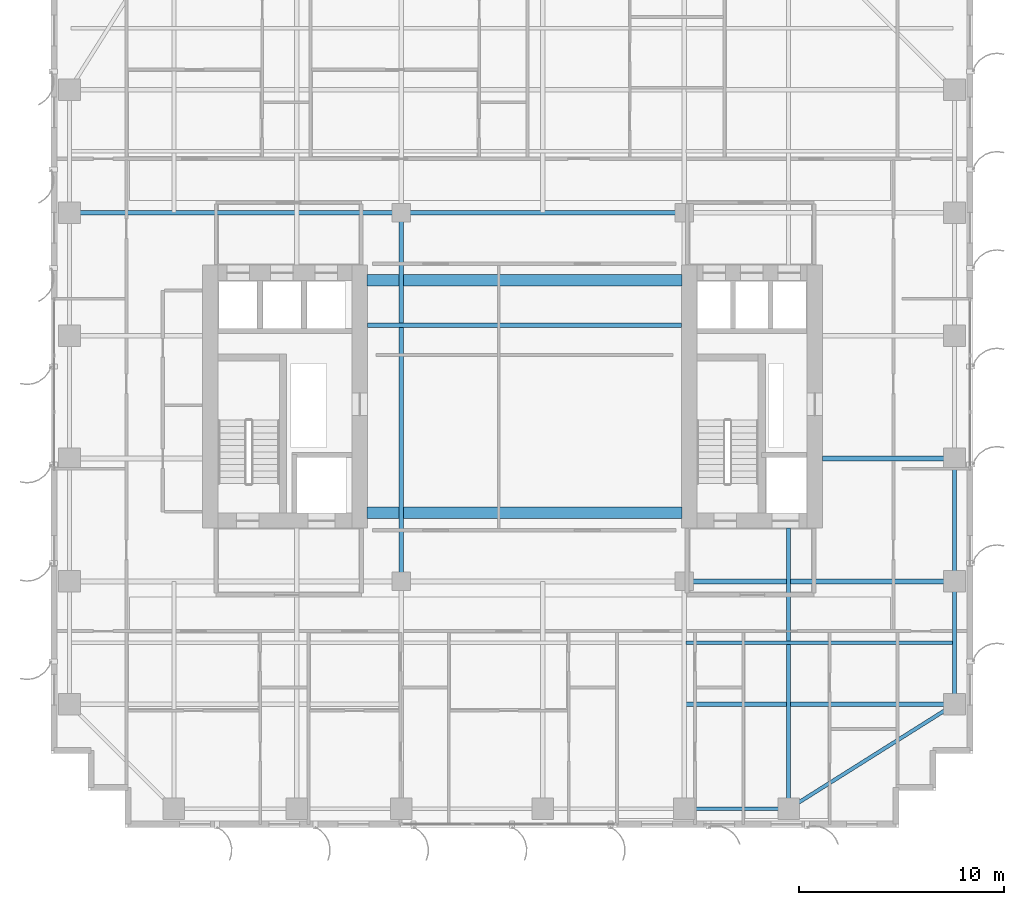
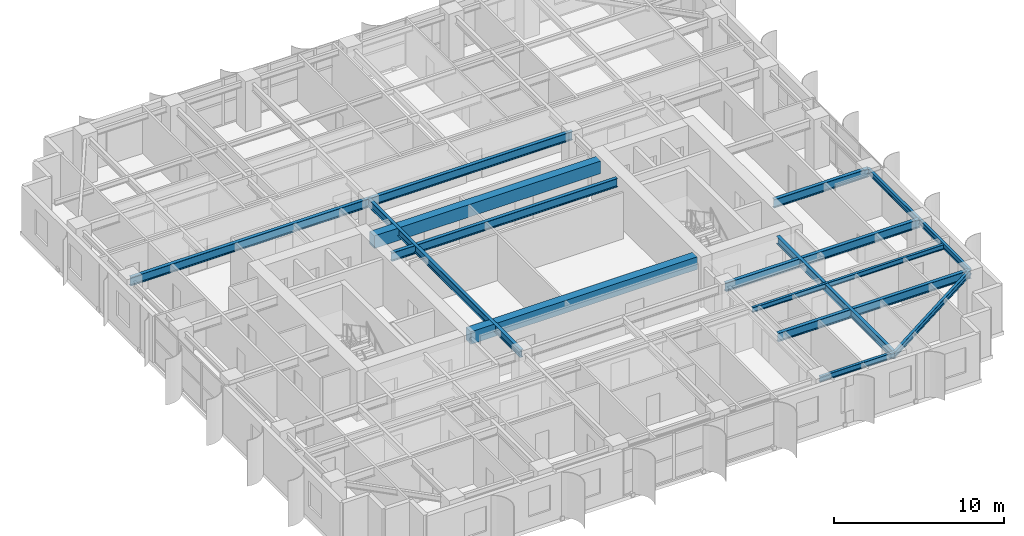
# One storey, part 5 of 22: 15 beams.
"""IFC4 building model written with IfcOpenShell, lengths in metres."""

from ifc_helpers import new_model, si_unit, direction, frame, origin, origin_2d, place, context, subcontext, project, spatial, rectangle, i_section, extrude, source, transform, mapped, material, material_profile, profile_set, type_object, element, save


model = new_model("IFC4")

# Units and contexts
model_context = context("Model", 3, precision=1e-05, world=origin(), true_north=direction((0.0, 1.0)))
body_context = subcontext(model_context, "Body", "Model", "MODEL_VIEW")
ifc_project = project(units=[si_unit("LENGTHUNIT", "METRE"), si_unit("AREAUNIT", "SQUARE_METRE"), si_unit("VOLUMEUNIT", "CUBIC_METRE"), si_unit("PLANEANGLEUNIT", "RADIAN"), si_unit("MASSUNIT", "GRAM", prefix="KILO")], contexts=[model_context])

# Site, building, storey
site_placement = place(None, origin())
site = spatial("IfcSite", under=ifc_project, at=site_placement, CompositionType="ELEMENT")
building_placement = place(site_placement, origin())
building = spatial("IfcBuilding", under=site, at=building_placement, Name="Khoralis Quay Care Tower", CompositionType="ELEMENT")
storey_placement = place(building_placement, frame((0.0, 0.0, 101.699951171875)))
storey = spatial("IfcBuildingStorey", under=building, at=storey_placement, Name="L26", CompositionType="ELEMENT", Elevation=101.699951171875)

# Beams
ifc_material_1 = material(Name="Concrete C65/80", Category="concrete")
ifc_material_profile_1 = material_profile(ifc_material_1, rectangle(XDim=0.550048828125, YDim=0.89990234375, at=origin_2d()), Name="Concrete C65/80")
ifc_profile_set_1 = profile_set([ifc_material_profile_1], Name="Concrete C65/80")
beam_type_1 = type_object("IfcBeamType", Name="CB-RC550X900", PredefinedType="LINTEL", material=ifc_profile_set_1)
shared_shape_1 = source(origin(), body_context, "Body", "SweptSolid", [
    extrude(rectangle(XDim=0.550048828125, YDim=0.89990234375, at=origin_2d()), origin(), (0.0, 0.0, 1.0), 15.380126953125),
])
for number, where, z_axis, x_axis, name in (
    (1, (15.419921875, 15.35009765625, 2.89013671875), (1.0, 0.0, 0.0), (0.0, 1.0, 0.0), "L26 South Core Coupling Lintel"),
    (2, (15.419921875, 26.699951171875, 2.89013671875), (1.0, 0.0, 0.0), (0.0, 1.0, 0.0), "L26 North Core Coupling Lintel"),
):
    element("IfcBeam", number, at=place(storey_placement, frame(where, z_axis=z_axis, x_axis=x_axis)), inside=storey, type_object=beam_type_1, Name=name, PredefinedType="LINTEL", context=body_context, shape_type="MappedRepresentation", body=[
        mapped(shared_shape_1, transform((0.0, 0.0, 0.0), scale=1.0)),
    ])
ifc_material_2 = material(Name="Steel S355", Category="steel")
ifc_material_profile_2 = material_profile(ifc_material_2, i_section(OverallWidth=0.179931640625, OverallDepth=0.39990234375, WebThickness=0.008544921875, FlangeThickness=0.013427734375, FilletRadius=0.02099609375, at=origin_2d()), Name="Steel S355")
ifc_profile_set_2 = profile_set([ifc_material_profile_2], Name="Steel S355")
beam_type_2 = type_object("IfcBeamType", Name="BM-IPE400", PredefinedType="SPANDREL", material=ifc_profile_set_2)
shared_shape_2 = source(origin(), body_context, "Body", "SweptSolid", [
    extrude(i_section(OverallWidth=0.179931640625, OverallDepth=0.39990234375, WebThickness=0.008544921875, FlangeThickness=0.013427734375, FilletRadius=0.02099609375, at=origin_2d()), origin(), (0.0, 0.0, 1.0), 6.0),
])
for number, where, z_axis, x_axis, name in (
    (3, (44.10009765625, 6.0, 3.14013671875), (0.0, 1.0, 0.0), (-1.0, 0.0, 0.0), "BM-TSP-L26-16"),
    (4, (44.10009765625, 12.0, 3.14013671875), (0.0, 1.0, 0.0), (-1.0, 0.0, 0.0), "BM-TSP-L26-17"),
):
    element("IfcBeam", number, at=place(storey_placement, frame(where, z_axis=z_axis, x_axis=x_axis)), inside=storey, type_object=beam_type_2, Name=name, PredefinedType="SPANDREL", context=body_context, shape_type="MappedRepresentation", body=[
        mapped(shared_shape_2, transform((0.0, 0.0, 0.0), scale=1.0)),
    ])
shared_shape_3 = source(origin(), body_context, "Body", "SweptSolid", [
    extrude(i_section(OverallWidth=0.179931640625, OverallDepth=0.39990234375, WebThickness=0.008544921875, FlangeThickness=0.013427734375, FilletRadius=0.02099609375, at=origin_2d()), origin(), (0.0, 0.0, 1.0), 5.10009765625),
])
beam_1_placement = place(storey_placement, frame((30.89990234375, 0.89990234375, 3.14013671875), z_axis=(1.0, 0.0, 0.0), x_axis=(0.0, 1.0, 0.0)))
element("IfcBeam", 5, at=beam_1_placement, inside=storey, type_object=beam_type_2, Name="BM-TSP-L26-05", PredefinedType="SPANDREL", context=body_context, shape_type="MappedRepresentation", body=[
    mapped(shared_shape_3, transform((0.0, 0.0, 0.0), scale=1.0)),
])
shared_shape_4 = source(origin(), body_context, "Body", "SweptSolid", [
    extrude(i_section(OverallWidth=0.179931640625, OverallDepth=0.39990234375, WebThickness=0.008544921875, FlangeThickness=0.013427734375, FilletRadius=0.02099609375, at=origin_2d()), origin(), (0.0, 0.0, 1.0), 9.572021484375),
])
beam_2_placement = place(storey_placement, frame((36.0, 0.89990234375, 3.14013671875), z_axis=(0.846231136359, 0.532815975602, 0.0), x_axis=(-0.532815975602, 0.846231136359, 0.0)))
element("IfcBeam", 6, at=beam_2_placement, inside=storey, type_object=beam_type_2, Name="BM-TCR-L26-22", PredefinedType="SPANDREL", context=body_context, shape_type="MappedRepresentation", body=[
    mapped(shared_shape_4, transform((0.0, 0.0, 0.0), scale=1.0)),
])
ifc_material_profile_3 = material_profile(ifc_material_2, i_section(OverallWidth=0.22998046875, OverallDepth=0.616943359375, WebThickness=0.01318359375, FlangeThickness=0.022216796875, FilletRadius=0.01806640625, at=origin_2d()), Name="Steel S355")
ifc_profile_set_3 = profile_set([ifc_material_profile_3], Name="Steel S355")
beam_type_3 = type_object("IfcBeamType", Name="BM-W610X140", PredefinedType="BEAM", material=ifc_profile_set_3)
shared_shape_5 = source(origin(), body_context, "Body", "SweptSolid", [
    extrude(i_section(OverallWidth=0.22998046875, OverallDepth=0.616943359375, WebThickness=0.01318359375, FlangeThickness=0.022216796875, FilletRadius=0.01806640625, at=origin_2d()), origin(), (0.0, 0.0, 1.0), 16.2001953125),
])
beam_3_placement = place(storey_placement, frame((0.89990234375, 30.0, 3.031494140625), z_axis=(1.0, 0.0, 0.0), x_axis=(0.0, 1.0, 0.0)))
element("IfcBeam", 7, at=beam_3_placement, inside=storey, type_object=beam_type_3, Name="BM-TGXW-L26-300", PredefinedType="BEAM", context=body_context, shape_type="MappedRepresentation", body=[
    mapped(shared_shape_5, transform((0.0, 0.0, 0.0), scale=1.0)),
])
shared_shape_6 = source(origin(), body_context, "Body", "SweptSolid", [
    extrude(i_section(OverallWidth=0.22998046875, OverallDepth=0.616943359375, WebThickness=0.01318359375, FlangeThickness=0.022216796875, FilletRadius=0.01806640625, at=origin_2d()), origin(), (0.0, 0.0, 1.0), 13.106201171875),
])
beam_4_placement = place(storey_placement, frame((30.993896484375, 6.0, 3.031494140625), z_axis=(1.0, 0.0, 0.0), x_axis=(0.0, 1.0, 0.0)))
element("IfcBeam", 8, at=beam_4_placement, inside=storey, type_object=beam_type_3, Name="BM-TGXE-L26-60", PredefinedType="BEAM", context=body_context, shape_type="MappedRepresentation", body=[
    mapped(shared_shape_6, transform((0.0, 0.0, 0.0), scale=1.0)),
])
shared_shape_7 = source(origin(), body_context, "Body", "SweptSolid", [
    extrude(i_section(OverallWidth=0.22998046875, OverallDepth=0.616943359375, WebThickness=0.01318359375, FlangeThickness=0.022216796875, FilletRadius=0.01806640625, at=origin_2d()), origin(), (0.0, 0.0, 1.0), 13.2001953125),
])
beam_5_placement = place(storey_placement, frame((30.89990234375, 12.0, 3.031494140625), z_axis=(1.0, 0.0, 0.0), x_axis=(0.0, 1.0, 0.0)))
element("IfcBeam", 9, at=beam_5_placement, inside=storey, type_object=beam_type_3, Name="BM-TGXE-L26-120", PredefinedType="BEAM", context=body_context, shape_type="MappedRepresentation", body=[
    mapped(shared_shape_7, transform((0.0, 0.0, 0.0), scale=1.0)),
])
shared_shape_8 = source(origin(), body_context, "Body", "SweptSolid", [
    extrude(i_section(OverallWidth=0.22998046875, OverallDepth=0.616943359375, WebThickness=0.01318359375, FlangeThickness=0.022216796875, FilletRadius=0.01806640625, at=origin_2d()), origin(), (0.0, 0.0, 1.0), 6.4521484375),
])
beam_6_placement = place(storey_placement, frame((37.64794921875, 18.0, 3.031494140625), z_axis=(1.0, 0.0, 0.0), x_axis=(0.0, 1.0, 0.0)))
element("IfcBeam", 10, at=beam_6_placement, inside=storey, type_object=beam_type_3, Name="BM-TGXE-L26-180", PredefinedType="BEAM", context=body_context, shape_type="MappedRepresentation", body=[
    mapped(shared_shape_8, transform((0.0, 0.0, 0.0), scale=1.0)),
])
shared_shape_9 = source(origin(), body_context, "Body", "SweptSolid", [
    extrude(i_section(OverallWidth=0.22998046875, OverallDepth=0.616943359375, WebThickness=0.01318359375, FlangeThickness=0.022216796875, FilletRadius=0.01806640625, at=origin_2d()), origin(), (0.0, 0.0, 1.0), 13.7998046875),
])
beam_7_placement = place(storey_placement, frame((17.10009765625, 30.0, 3.031494140625), z_axis=(1.0, 0.0, 0.0), x_axis=(0.0, 1.0, 0.0)))
element("IfcBeam", 11, at=beam_7_placement, inside=storey, type_object=beam_type_3, Name="BM-TGCC-L26-300", PredefinedType="BEAM", context=body_context, shape_type="MappedRepresentation", body=[
    mapped(shared_shape_9, transform((0.0, 0.0, 0.0), scale=1.0)),
])
shared_shape_10 = source(origin(), body_context, "Body", "SweptSolid", [
    extrude(i_section(OverallWidth=0.22998046875, OverallDepth=0.616943359375, WebThickness=0.01318359375, FlangeThickness=0.022216796875, FilletRadius=0.01806640625, at=origin_2d()), origin(), (0.0, 0.0, 1.0), 15.323974609375),
])
beam_8_placement = place(storey_placement, frame((15.447998046875, 24.5, 3.031494140625), z_axis=(1.0, 0.0, 0.0), x_axis=(0.0, 1.0, 0.0)))
element("IfcBeam", 12, at=beam_8_placement, inside=storey, type_object=beam_type_3, Name="BM-TGCC-L26-245", PredefinedType="BEAM", context=body_context, shape_type="MappedRepresentation", body=[
    mapped(shared_shape_10, transform((0.0, 0.0, 0.0), scale=1.0)),
])
ifc_material_profile_4 = material_profile(ifc_material_2, i_section(OverallWidth=0.2119140625, OverallDepth=0.5439453125, WebThickness=0.01318359375, FlangeThickness=0.021240234375, FilletRadius=0.01611328125, at=origin_2d()), Name="Steel S355")
ifc_profile_set_4 = profile_set([ifc_material_profile_4], Name="Steel S355")
beam_type_4 = type_object("IfcBeamType", Name="BM-W530X123", PredefinedType="BEAM", material=ifc_profile_set_4)
shared_shape_11 = source(origin(), body_context, "Body", "SweptSolid", [
    extrude(i_section(OverallWidth=0.2119140625, OverallDepth=0.5439453125, WebThickness=0.01318359375, FlangeThickness=0.021240234375, FilletRadius=0.01611328125, at=origin_2d()), origin(), (0.0, 0.0, 1.0), 13.7021484375),
])
beam_9_placement = place(storey_placement, frame((36.0, 0.89990234375, 3.068115234375), z_axis=(0.0, 1.0, 0.0), x_axis=(-1.0, 0.0, 0.0)))
element("IfcBeam", 13, at=beam_9_placement, inside=storey, type_object=beam_type_4, Name="BM-TGYS-L26-360", PredefinedType="BEAM", context=body_context, shape_type="MappedRepresentation", body=[
    mapped(shared_shape_11, transform((0.0, 0.0, 0.0), scale=1.0)),
])
shared_shape_12 = source(origin(), body_context, "Body", "SweptSolid", [
    extrude(i_section(OverallWidth=0.2119140625, OverallDepth=0.5439453125, WebThickness=0.01318359375, FlangeThickness=0.021240234375, FilletRadius=0.01611328125, at=origin_2d()), origin(), (0.0, 0.0, 1.0), 18.0),
])
beam_10_placement = place(storey_placement, frame((17.10009765625, 12.0, 3.068115234375), z_axis=(0.0, 1.0, 0.0), x_axis=(-1.0, 0.0, 0.0)))
element("IfcBeam", 14, at=beam_10_placement, inside=storey, type_object=beam_type_4, Name="BM-TGSW-L26", PredefinedType="BEAM", context=body_context, shape_type="MappedRepresentation", body=[
    mapped(shared_shape_12, transform((0.0, 0.0, 0.0), scale=1.0)),
])
ifc_material_profile_5 = material_profile(ifc_material_2, i_section(OverallWidth=0.1708984375, OverallDepth=0.35498046875, WebThickness=0.007080078125, FlangeThickness=0.01171875, FilletRadius=0.012939453125, at=origin_2d()), Name="Steel S355")
ifc_profile_set_5 = profile_set([ifc_material_profile_5], Name="Steel S355")
beam_type_5 = type_object("IfcBeamType", Name="BM-W360X51", PredefinedType="JOIST", material=ifc_profile_set_5)
shared_shape_13 = source(origin(), body_context, "Body", "SweptSolid", [
    extrude(i_section(OverallWidth=0.1708984375, OverallDepth=0.35498046875, WebThickness=0.007080078125, FlangeThickness=0.01171875, FilletRadius=0.012939453125, at=origin_2d()), origin(), (0.0, 0.0, 1.0), 13.030029296875),
])
beam_11_placement = place(storey_placement, frame((30.993896484375, 9.0, 3.16259765625), z_axis=(1.0, 0.0, 0.0), x_axis=(0.0, 1.0, 0.0)))
element("IfcBeam", 15, at=beam_11_placement, inside=storey, type_object=beam_type_5, Name="BM-TJS-L26-26", PredefinedType="JOIST", context=body_context, shape_type="MappedRepresentation", body=[
    mapped(shared_shape_13, transform((0.0, 0.0, 0.0), scale=1.0)),
])

save(model, "model.ifc")
